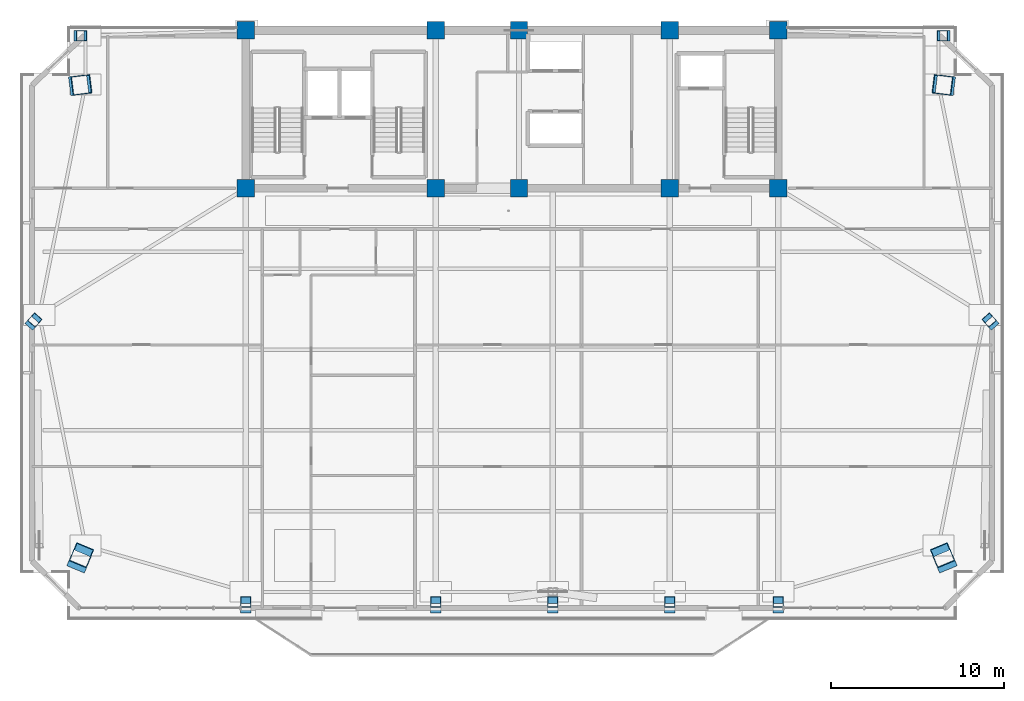
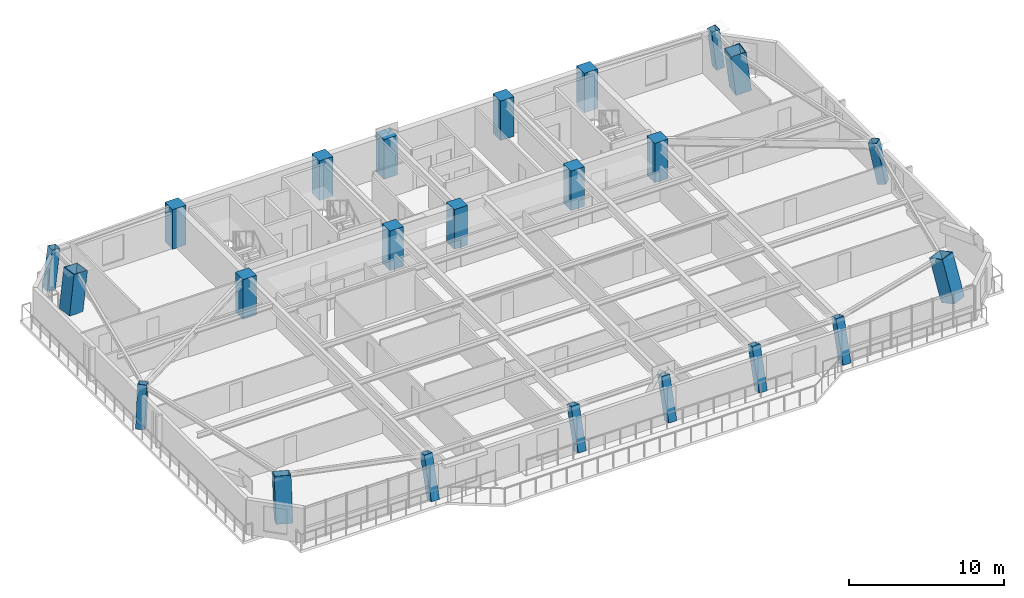
# One storey, part 1 of 16: 23 columns.
"""IFC4 building model written with IfcOpenShell, lengths in metres."""

from ifc_helpers import new_model, si_unit, direction, frame, origin, origin_2d, place, context, subcontext, project, spatial, rectangle, hollow_rectangle, extrude, source, transform, mapped, material, material_profile, profile_set, type_object, element, save


model = new_model("IFC4")

# Units and contexts
model_context = context("Model", 3, precision=1e-05, world=origin(), true_north=direction((0.0, 1.0)))
body_context = subcontext(model_context, "Body", "Model", "MODEL_VIEW")
ifc_project = project(units=[si_unit("LENGTHUNIT", "METRE"), si_unit("AREAUNIT", "SQUARE_METRE"), si_unit("VOLUMEUNIT", "CUBIC_METRE"), si_unit("PLANEANGLEUNIT", "RADIAN"), si_unit("MASSUNIT", "GRAM", prefix="KILO")], contexts=[model_context])

# Site, building, storey
site_placement = place(None, origin())
site = spatial("IfcSite", under=ifc_project, at=site_placement, CompositionType="ELEMENT")
building_placement = place(site_placement, origin())
building = spatial("IfcBuilding", under=site, at=building_placement, Name="Giltprow Tower", CompositionType="ELEMENT")
storey_placement = place(building_placement, frame((0.0, 0.0, 233.800048828125)))
storey = spatial("IfcBuildingStorey", under=building, at=storey_placement, Name="L59", CompositionType="ELEMENT", Elevation=233.800048828125)

# Columns
ifc_material_1 = material(Name="Concrete C50", Category="concrete")
ifc_material_profile_1 = material_profile(ifc_material_1, rectangle(XDim=1.0, YDim=1.0, at=origin_2d()), Name="RC 1000x1000")
ifc_profile_set_1 = profile_set([ifc_material_profile_1], Name="Concrete C50")
column_type_1 = type_object("IfcColumnType", Name="PIL-RC-1000-C50", PredefinedType="PILASTER", material=ifc_profile_set_1)
shared_shape_1 = source(origin(), body_context, "Body", "SweptSolid", [
    extrude(rectangle(XDim=1.0, YDim=1.0, at=origin_2d()), origin(), (0.0, 0.0, 1.0), 3.119873046875),
])
for number, where, z_axis, x_axis, name in (
    (1, (19.85009765625, 37.449951171875, 0.0), (0.0, 0.0, 1.0), (1.0, 0.0, 0.0), "L59 Core Boundary Pilaster 1-1"),
    (2, (19.85009765625, 46.550048828125, 0.0), (0.0, 0.0, 1.0), (1.0, 0.0, 0.0), "L59 Core Boundary Pilaster 1-2"),
    (3, (30.800048828125, 37.449951171875, 0.0), (0.0, 0.0, 1.0), (1.0, 0.0, 0.0), "L59 Core Boundary Pilaster 2-1"),
    (4, (30.800048828125, 46.550048828125, 0.0), (0.0, 0.0, 1.0), (1.0, 0.0, 0.0), "L59 Core Boundary Pilaster 2-2"),
    (5, (35.60009765625, 37.449951171875, 0.0), (0.0, 0.0, 1.0), (1.0, 0.0, 0.0), "L59 Core Boundary Pilaster 3-1"),
    (6, (35.60009765625, 46.550048828125, 0.0), (0.0, 0.0, 1.0), (1.0, 0.0, 0.0), "L59 Core Boundary Pilaster 3-2"),
    (7, (44.300048828125, 37.449951171875, 0.0), (0.0, 0.0, 1.0), (1.0, 0.0, 0.0), "L59 Core Boundary Pilaster 4-1"),
    (8, (44.300048828125, 46.550048828125, 0.0), (0.0, 0.0, 1.0), (1.0, 0.0, 0.0), "L59 Core Boundary Pilaster 4-2"),
    (9, (50.550048828125, 37.449951171875, 0.0), (0.0, 0.0, 1.0), (1.0, 0.0, 0.0), "L59 Core Boundary Pilaster 5-1"),
    (10, (50.550048828125, 46.550048828125, 0.0), (0.0, 0.0, 1.0), (1.0, 0.0, 0.0), "L59 Core Boundary Pilaster 5-2"),
):
    element("IfcColumn", number, at=place(storey_placement, frame(where, z_axis=z_axis, x_axis=x_axis)), inside=storey, type_object=column_type_1, Name=name, PredefinedType="PILASTER", context=body_context, shape_type="MappedRepresentation", body=[
        mapped(shared_shape_1, transform((0.0, 0.0, 0.0), x_axis=(1.0, 0.0, 0.0), y_axis=(0.0, 1.0, 0.0), z_axis=(0.0, 0.0, 1.0), scale=1.0)),
    ])
ifc_material_2 = material(Name="Structural steel Q420GJC", Category="steel")
ifc_material_profile_2 = material_profile(ifc_material_2, hollow_rectangle(XDim=1.10009765625, YDim=1.10009765625, WallThickness=0.050048828125, at=origin_2d()), Name="BOX 1100x1100x50")
ifc_profile_set_2 = profile_set([ifc_material_profile_2], Name="Structural steel Q420GJC")
column_type_2 = type_object("IfcColumnType", Name="COL-BOX-1100x1100x50", PredefinedType="COLUMN", material=ifc_profile_set_2)
shared_shape_2 = source(origin(), body_context, "Body", "SweptSolid", [
    extrude(hollow_rectangle(XDim=1.10009765625, YDim=1.10009765625, WallThickness=0.050048828125, at=origin_2d()), origin(), (0.0, 0.0, 1.0), 3.26416015625),
])
for number, where, z_axis, x_axis, name in (
    (11, (10.239990234375, 15.95703125, 0.0), (0.113014620919, 0.271429556131, 0.95580002695), (-0.92317473482, 0.384380552305, 0.0), "L59 Mega-Column MC_SW"),
    (12, (60.159912109375, 15.95703125, 0.0), (-0.113014620919, 0.271429556131, 0.95580002695), (-0.92317473482, -0.384380552305, 0.0), "L59 Mega-Column MC_SE"),
):
    element("IfcColumn", number, at=place(storey_placement, frame(where, z_axis=z_axis, x_axis=x_axis)), inside=storey, type_object=column_type_2, Name=name, PredefinedType="COLUMN", context=body_context, shape_type="MappedRepresentation", body=[
        mapped(shared_shape_2, transform((0.0, 0.0, 0.0), x_axis=(1.0, 0.0, 0.0), y_axis=(0.0, 1.0, 0.0), z_axis=(0.0, 0.0, 1.0), scale=1.0)),
    ])
shared_shape_3 = source(origin(), body_context, "Body", "SweptSolid", [
    extrude(hollow_rectangle(XDim=1.10009765625, YDim=1.10009765625, WallThickness=0.050048828125, at=origin_2d()), origin(), (0.0, 0.0, 1.0), 3.141845703125),
])
for number, where, z_axis, x_axis, name in (
    (13, (10.239990234375, 43.39306640625, 0.0), (0.117410344374, 0.014608302278, 0.992976036236), (-0.1234688995, 0.99234844226, 0.0), "L59 Mega-Column MC_NW"),
    (14, (60.159912109375, 43.39306640625, 0.0), (-0.117410344374, 0.014608302278, 0.992976036236), (-0.1234688995, -0.99234844226, 0.0), "L59 Mega-Column MC_NE"),
):
    element("IfcColumn", number, at=place(storey_placement, frame(where, z_axis=z_axis, x_axis=x_axis)), inside=storey, type_object=column_type_2, Name=name, PredefinedType="COLUMN", context=body_context, shape_type="MappedRepresentation", body=[
        mapped(shared_shape_3, transform((0.0, 0.0, 0.0), x_axis=(1.0, 0.0, 0.0), y_axis=(0.0, 1.0, 0.0), z_axis=(0.0, 0.0, 1.0), scale=1.0)),
    ])
ifc_material_3 = material(Name="Structural steel Q355B", Category="steel")
ifc_material_profile_3 = material_profile(ifc_material_3, hollow_rectangle(XDim=0.60009765625, YDim=0.60009765625, WallThickness=0.028076171875, at=origin_2d()), Name="BOX 600x600x28")
ifc_profile_set_3 = profile_set([ifc_material_profile_3], Name="Structural steel Q355B")
column_type_3 = type_object("IfcColumnType", Name="COL-BOX-600x600x28", PredefinedType="COLUMN", material=ifc_profile_set_3)
shared_shape_4 = source(origin(), body_context, "Body", "SweptSolid", [
    extrude(hollow_rectangle(XDim=0.60009765625, YDim=0.60009765625, WallThickness=0.028076171875, at=origin_2d()), origin(), (0.0, 0.0, 1.0), 3.256103515625),
])
for number, where, z_axis, x_axis, name in (
    (15, (19.85009765625, 13.25, 0.0), (0.0, 0.28619890178, 0.958170229458), (-1.0, 0.0, 0.0), "L59 Perimeter Column S1"),
    (16, (30.800048828125, 13.25, 0.0), (0.0, 0.28619890178, 0.958170229458), (-1.0, 0.0, 0.0), "L59 Perimeter Column S2"),
    (17, (37.550048828125, 13.25, 0.0), (0.0, 0.28619890178, 0.958170229458), (-1.0, 0.0, 0.0), "L59 Perimeter Column S_MID"),
    (18, (44.300048828125, 13.25, 0.0), (0.0, 0.28619890178, 0.958170229458), (-1.0, 0.0, 0.0), "L59 Perimeter Column S3"),
    (19, (50.550048828125, 13.25, 0.0), (0.0, 0.28619890178, 0.958170229458), (-1.0, 0.0, 0.0), "L59 Perimeter Column S4"),
):
    element("IfcColumn", number, at=place(storey_placement, frame(where, z_axis=z_axis, x_axis=x_axis)), inside=storey, type_object=column_type_3, Name=name, PredefinedType="COLUMN", context=body_context, shape_type="MappedRepresentation", body=[
        mapped(shared_shape_4, transform((0.0, 0.0, 0.0), x_axis=(1.0, 0.0, 0.0), y_axis=(0.0, 1.0, 0.0), z_axis=(0.0, 0.0, 1.0), scale=1.0)),
    ])
shared_shape_5 = source(origin(), body_context, "Body", "SweptSolid", [
    extrude(hollow_rectangle(XDim=0.60009765625, YDim=0.60009765625, WallThickness=0.028076171875, at=origin_2d()), origin(), (0.0, 0.0, 1.0), 3.181640625),
])
for number, where, z_axis, x_axis, name in (
    (20, (7.532958984375, 29.675048828125, 0.0), (0.130446553885, 0.146483806686, 0.980574418878), (-0.746804669772, 0.665043446104, 0.0), "L59 Perimeter Column W_MID"),
    (21, (62.866943359375, 29.675048828125, 0.0), (-0.130446553885, 0.146483806686, 0.980574418878), (-0.746804669772, -0.665043446104, 0.0), "L59 Perimeter Column E_MID"),
):
    element("IfcColumn", number, at=place(storey_placement, frame(where, z_axis=z_axis, x_axis=x_axis)), inside=storey, type_object=column_type_3, Name=name, PredefinedType="COLUMN", context=body_context, shape_type="MappedRepresentation", body=[
        mapped(shared_shape_5, transform((0.0, 0.0, 0.0), x_axis=(1.0, 0.0, 0.0), y_axis=(0.0, 1.0, 0.0), z_axis=(0.0, 0.0, 1.0), scale=1.0)),
    ])
shared_shape_6 = source(origin(), body_context, "Body", "SweptSolid", [
    extrude(hollow_rectangle(XDim=0.60009765625, YDim=0.60009765625, WallThickness=0.028076171875, at=origin_2d()), origin(), (0.0, 0.0, 1.0), 3.1416015625),
])
for number, where, z_axis, x_axis, name in (
    (22, (10.239990234375, 46.25, 0.0), (0.117422874209, 0.0, 0.993082004979), (0.0, 1.0, 0.0), "L59 Perimeter Column N_W"),
    (23, (60.159912109375, 46.25, 0.0), (-0.117422874209, 0.0, 0.993082004979), (0.0, -1.0, 0.0), "L59 Perimeter Column N_E"),
):
    element("IfcColumn", number, at=place(storey_placement, frame(where, z_axis=z_axis, x_axis=x_axis)), inside=storey, type_object=column_type_3, Name=name, PredefinedType="COLUMN", context=body_context, shape_type="MappedRepresentation", body=[
        mapped(shared_shape_6, transform((0.0, 0.0, 0.0), x_axis=(1.0, 0.0, 0.0), y_axis=(0.0, 1.0, 0.0), z_axis=(0.0, 0.0, 1.0), scale=1.0)),
    ])

save(model, "model.ifc")
